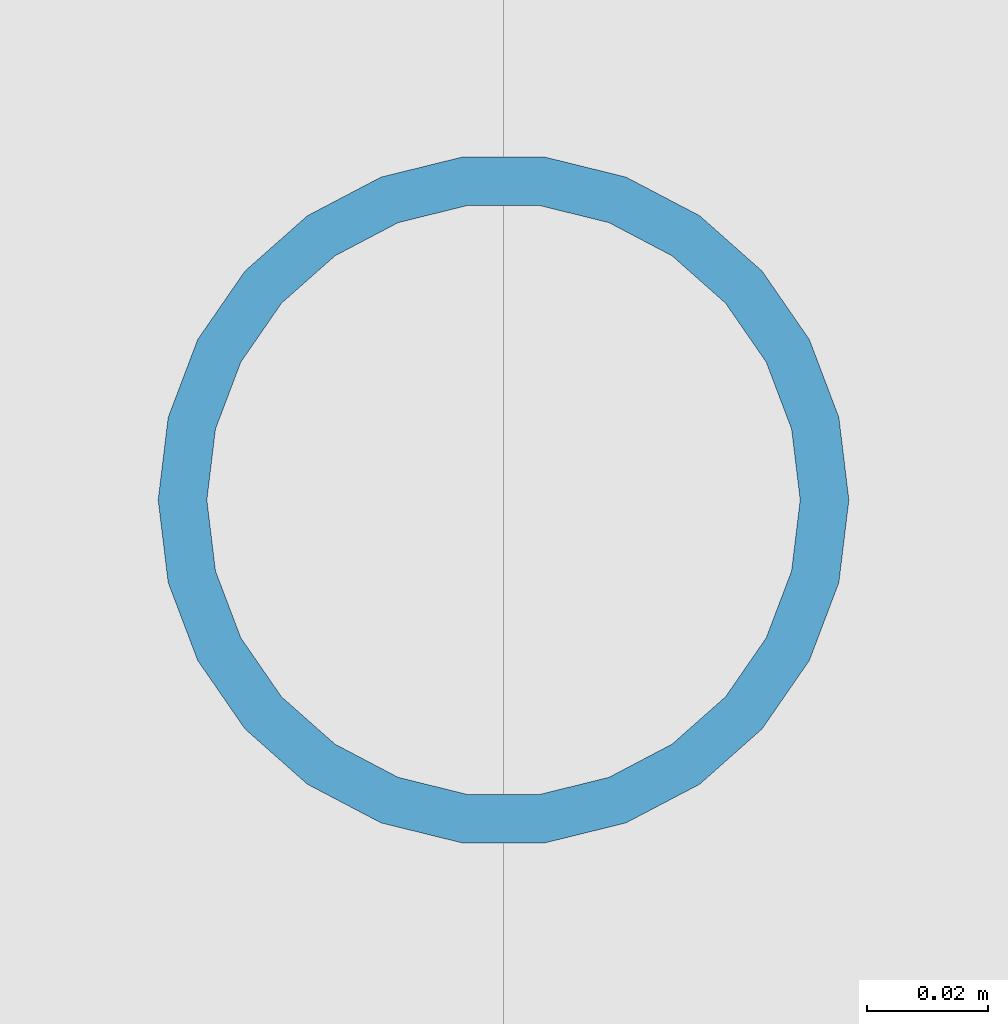
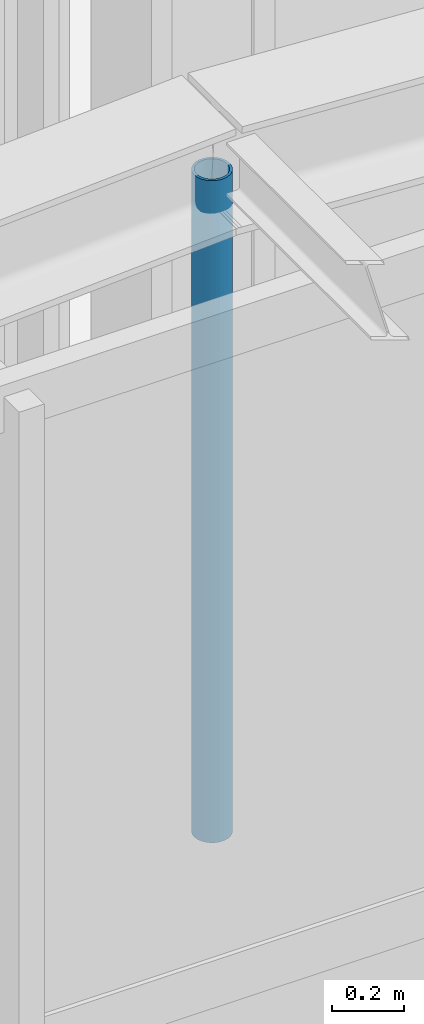
# One storey, part 72 of 148: 1 member.
"""IFC4 building model written with IfcOpenShell, lengths in metres."""

import ifcopenshell
import ifcopenshell.guid

model = None  # the IFC model being written
_history = None  # IfcOwnerHistory: only IFC2X3 demands one
_inside = {}  # id of a spatial element -> (the spatial element, [elements in it])
_under = {}  # id of a project, library or spatial element -> (it, [spatial elements below it])
_declared = {}  # id of a project -> (the project, [libraries it declares])
_typed = {}  # id of a type object -> (the type object, [elements of that type])
_made_of = {}  # id of a material, layer set ... -> (it, [elements and type objects made of it])


def new_model(schema):
    """Start an empty IFC model of exactly this schema.

    Asked for "IFC4X3", IfcOpenShell would pick the latest addendum, in which some entities
    have other attributes; the version numbers below select the first issue.
    IFC2X3 requires an IfcOwnerHistory on every rooted entity: one is made here for all.
    """
    global model, _history
    if schema == "IFC4X3":
        model = ifcopenshell.file(schema_version=(4, 3, 0, 0))
    else:
        model = ifcopenshell.file(schema=schema)
    _inside.clear()
    _under.clear()
    _declared.clear()
    _typed.clear()
    _made_of.clear()
    _history = None
    if model.schema == "IFC2X3":
        org = make("IfcOrganization", Name="unknown")
        user = make(
            "IfcPersonAndOrganization",
            ThePerson=make("IfcPerson", FamilyName="unknown"),
            TheOrganization=org,
        )
        app = make(
            "IfcApplication",
            ApplicationDeveloper=org,
            Version="unknown",
            ApplicationFullName="unknown",
            ApplicationIdentifier="unknown",
        )
        _history = make(
            "IfcOwnerHistory",
            OwningUser=user,
            OwningApplication=app,
            ChangeAction="ADDED",
            CreationDate=0,
        )
    return model


def make(cls, **values):
    """One entity of the class cls with the attributes given. An attribute that is None is left unset."""
    return model.create_entity(
        cls, **{name: value for name, value in values.items() if value is not None}
    )


def rooted(cls, **values):
    """An entity with a GlobalId (a new one), such as an element, a storey or a relation."""
    return make(cls, GlobalId=ifcopenshell.guid.new(), OwnerHistory=_history, **values)


def si_unit(unit_type, name, prefix=None):
    """IfcSIUnit, for example si_unit("LENGTHUNIT", "METRE", prefix="MILLI")."""
    return make("IfcSIUnit", UnitType=unit_type, Prefix=prefix, Name=name)


def assignment(units):
    """IfcUnitAssignment: the units of a project."""
    return None if units is None else make("IfcUnitAssignment", Units=units)


def point(xyz):
    """IfcCartesianPoint."""
    return None if xyz is None else make("IfcCartesianPoint", Coordinates=xyz)


def direction(xyz):
    """IfcDirection."""
    return None if xyz is None else make("IfcDirection", DirectionRatios=xyz)


def frame(location, z_axis=None, x_axis=None):
    """IfcAxis2Placement3D, a coordinate frame: its origin and axes. An axis left out is left unset."""
    return make(
        "IfcAxis2Placement3D",
        Location=point(location),
        Axis=direction(z_axis),
        RefDirection=direction(x_axis),
    )


def frame_2d(location, x_axis=None):
    """IfcAxis2Placement2D, a coordinate frame in the plane: its origin and x axis."""
    return make(
        "IfcAxis2Placement2D", Location=point(location), RefDirection=direction(x_axis)
    )


def origin():
    """The frame at (0, 0, 0) with its axes left unset."""
    return frame((0.0, 0.0, 0.0))


def origin_2d():
    """The frame at (0, 0) in the plane with its x axis left unset."""
    return frame_2d((0.0, 0.0))


def place(relative_to, where):
    """IfcLocalPlacement: puts the frame where relative to a parent placement (None: the world)."""
    return make(
        "IfcLocalPlacement", PlacementRelTo=relative_to, RelativePlacement=where
    )


def context(
    kind, dimensions, precision=None, world=None, true_north=None, identifier=None
):
    """IfcGeometricRepresentationContext, for example the 3D "Model" context."""
    return make(
        "IfcGeometricRepresentationContext",
        ContextIdentifier=identifier,
        ContextType=kind,
        CoordinateSpaceDimension=dimensions,
        Precision=precision,
        WorldCoordinateSystem=world,
        TrueNorth=true_north,
    )


def subcontext(parent, identifier, kind, view, scale=None):
    """IfcGeometricRepresentationSubContext, for example "Body" below "Model"."""
    return make(
        "IfcGeometricRepresentationSubContext",
        ContextIdentifier=identifier,
        ContextType=kind,
        ParentContext=parent,
        TargetScale=scale,
        TargetView=view,
    )


def project(units=None, contexts=None):
    """IfcProject with its units and contexts."""
    return rooted(
        "IfcProject",
        Name="project",
        RepresentationContexts=contexts,
        UnitsInContext=assignment(units),
    )


def spatial(cls, under=None, at=None, **own):
    """A site, building, storey or space (cls), placed at a placement, below another one or the project."""
    s = rooted(cls, ObjectPlacement=at, **own)
    if under is not None:
        _under.setdefault(under.id(), (under, []))[1].append(s)
    return s


def profile(cls, at=None, kind="AREA", **sizes):
    """A parametric profile (cls). Its sizes go by their IFC names, for example OverallWidth=200.0."""
    return make(cls, ProfileType=kind, Position=at, **sizes)


def hollow_circle(**sizes):
    """IfcCircleHollowProfileDef."""
    return profile("IfcCircleHollowProfileDef", **sizes)


def extrude(swept, where, along, depth):
    """IfcExtrudedAreaSolid: the profile swept, set in the frame where, extruded along a direction by depth."""
    return make(
        "IfcExtrudedAreaSolid",
        SweptArea=swept,
        Position=where,
        ExtrudedDirection=direction(along),
        Depth=depth,
    )


def shape(context_of_items, identifier, shape_type, items):
    """IfcShapeRepresentation: the items that make up one representation, for example the "Body"."""
    return make(
        "IfcShapeRepresentation",
        ContextOfItems=context_of_items,
        RepresentationIdentifier=identifier,
        RepresentationType=shape_type,
        Items=items,
    )


def material(Name=None, Category=None):
    """IfcMaterial."""
    return make("IfcMaterial", Name=Name, Category=Category)


def material_profile(
    of_material, cross_section, Name=None, Category=None, Priority=None
):
    """IfcMaterialProfile: a cross section and its material."""
    return make(
        "IfcMaterialProfile",
        Name=Name,
        Material=of_material,
        Profile=cross_section,
        Priority=Priority,
        Category=Category,
    )


def profile_set(profiles, Name=None, composite=None):
    """IfcMaterialProfileSet."""
    return make(
        "IfcMaterialProfileSet",
        Name=Name,
        MaterialProfiles=profiles,
        CompositeProfile=composite,
    )


def made_of(thing, what):
    """Note that an element or type object is made of a material, layer set ...; save() writes the relation."""
    if what is not None:
        _made_of.setdefault(what.id(), (what, []))[1].append(thing)
    return thing


def type_object(cls, material=None, **own):
    """A type object (cls), such as IfcWallType, which elements share."""
    return made_of(rooted(cls, **own), material)


def element(
    cls,
    number,
    at=None,
    inside=None,
    cuts=None,
    type_object=None,
    material=None,
    context=None,
    identifier="Body",
    shape_type=None,
    held_by="IfcProductDefinitionShape",
    body=None,
    shapes=None,
    **own,
):
    """One element of the class cls, such as IfcWall. Its Tag is "e" and its number.

    at: its placement. inside: the storey or other place that contains it. cuts: it is an
    opening in that element (IfcRelVoidsElement). A single representation is given by context,
    identifier, shape_type and body (its items); several are given by shapes. held_by: the class
    of the entity that holds the representations. save() writes the other relations.
    """
    e = rooted(cls, Tag="e%d" % number, ObjectPlacement=at, **own)
    if body is not None:
        shapes = [shape(context, identifier, shape_type, body)]
    if shapes is not None:
        e.Representation = make(held_by, Representations=shapes)
    if inside is not None:
        _inside.setdefault(inside.id(), (inside, []))[1].append(e)
    if cuts is not None:
        rooted(
            "IfcRelVoidsElement", RelatingBuildingElement=cuts, RelatedOpeningElement=e
        )
    if type_object is not None:
        _typed.setdefault(type_object.id(), (type_object, []))[1].append(e)
    return made_of(e, material)


def aggregate(whole, parts):
    """IfcRelAggregates: a whole, such as a stair, and the parts it consists of."""
    return rooted("IfcRelAggregates", RelatingObject=whole, RelatedObjects=parts)


def save(model, path):
    """Write the relations noted so far, then the file.

    IfcRelAggregates (storeys below a building ...), IfcRelContainedInSpatialStructure (elements
    in a storey), IfcRelDefinesByType, IfcRelAssociatesMaterial and IfcRelDeclares: one each for
    every whole, place, type object, material and project.
    """
    for whole, parts in _under.values():
        aggregate(whole, parts)
    for where, things in _inside.values():
        rooted(
            "IfcRelContainedInSpatialStructure",
            RelatedElements=things,
            RelatingStructure=where,
        )
    for kind, things in _typed.values():
        rooted("IfcRelDefinesByType", RelatedObjects=things, RelatingType=kind)
    for what, things in _made_of.values():
        rooted("IfcRelAssociatesMaterial", RelatedObjects=things, RelatingMaterial=what)
    for by, libraries in _declared.values():
        rooted("IfcRelDeclares", RelatingContext=by, RelatedDefinitions=libraries)
    model.write(path)


model = new_model("IFC4")

# Units and contexts
model_context = context("Model", 3, precision=1e-05, world=origin(), true_north=direction((0.0, 1.0)))
body_context = subcontext(model_context, "Body", "Model", "MODEL_VIEW")
ifc_project = project(units=[si_unit("LENGTHUNIT", "METRE"), si_unit("AREAUNIT", "SQUARE_METRE"), si_unit("VOLUMEUNIT", "CUBIC_METRE"), si_unit("PLANEANGLEUNIT", "RADIAN"), si_unit("MASSUNIT", "GRAM", prefix="KILO"), si_unit("THERMODYNAMICTEMPERATUREUNIT", "KELVIN"), si_unit("POWERUNIT", "WATT")], contexts=[model_context])

# Site, building, storey
site_placement = place(None, origin())
site = spatial("IfcSite", under=ifc_project, at=site_placement, CompositionType="ELEMENT")
building_placement = place(site_placement, origin())
building = spatial("IfcBuilding", under=site, at=building_placement, Name="Solvatero Civic Police Headquarters", CompositionType="ELEMENT")
storey_placement = place(building_placement, frame((0.0, 0.0, 5.10009765625)))
storey = spatial("IfcBuildingStorey", under=building, at=storey_placement, Name="L01", CompositionType="ELEMENT", Elevation=5.10009765625)

# Member
ifc_material = material(Name="Steel S355", Category="steel")
ifc_material_profile = material_profile(ifc_material, hollow_circle(Radius=0.05712890625, WallThickness=0.008056640625, at=origin_2d()), Name="CHS 114.3x8.0")
ifc_profile_set = profile_set([ifc_material_profile], Name="Steel S355")
member_type = type_object("IfcMemberType", Name="MB-HNG-CHS114", PredefinedType="STRUT", material=ifc_profile_set)
member_placement = place(storey_placement, frame((76.800048828125, 62.5, 5.17626953125), z_axis=(0.0, 0.0, 1.0), x_axis=(1.0, 0.0, 0.0)))
element("IfcMember", 1, at=member_placement, inside=storey, type_object=member_type, Name="VLT2 Vault Vertical Hanger F8.5", PredefinedType="STRUT", context=body_context, shape_type="SweptSolid", body=[
    extrude(hollow_circle(Radius=0.05712890625, WallThickness=0.008056640625, at=origin_2d()), origin(), (0.0, 0.0, 1.0), 2.237548828125),
])

save(model, "model.ifc")
